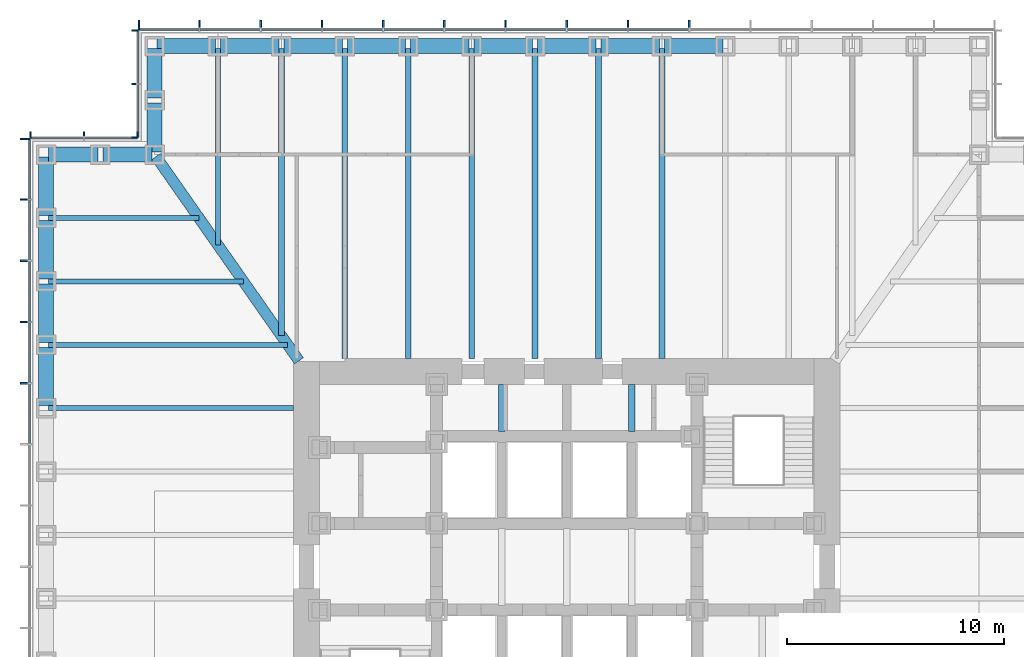
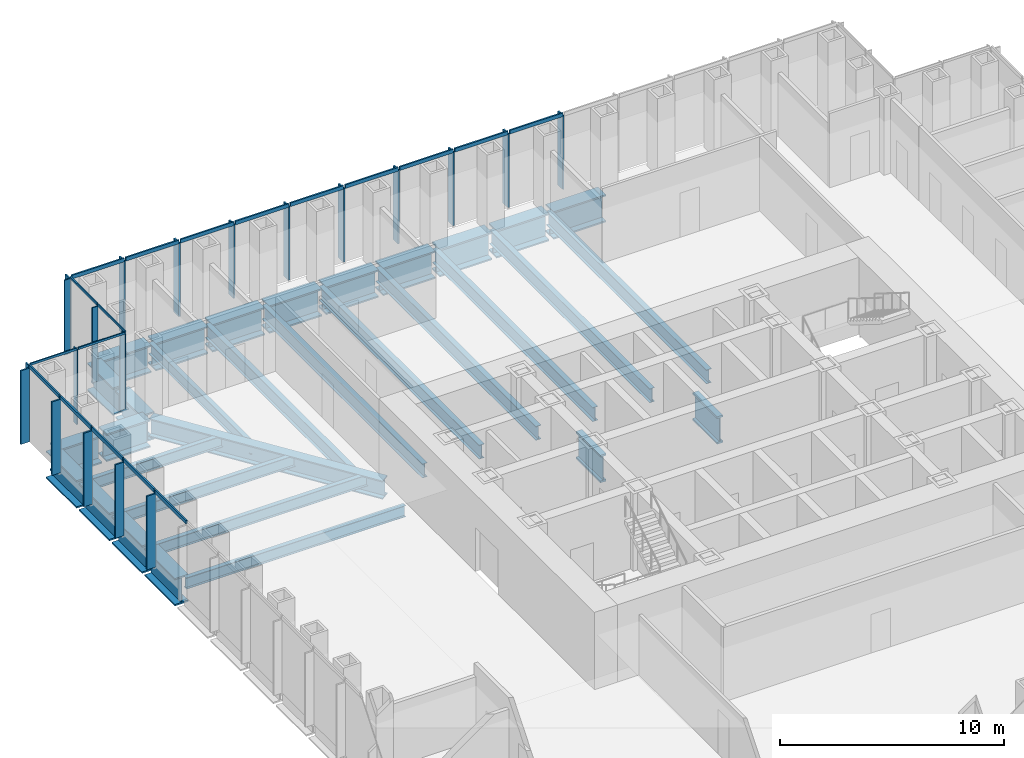
# One storey, part 5 of 17: 39 members, 32 beams, 4 elements without a shape of their own.
"""IFC4 building model written with IfcOpenShell, lengths in metres."""

from ifc_helpers import new_model, si_unit, direction, frame, origin, origin_2d, place, context, subcontext, project, spatial, rectangle, i_section, extrude, material, material_profile, profile_set, type_object, element, aggregate, save


model = new_model("IFC4")

# Units and contexts
model_context = context("Model", 3, precision=1e-05, world=origin(), true_north=direction((0.0, 1.0)))
body_context = subcontext(model_context, "Body", "Model", "MODEL_VIEW")
ifc_project = project(units=[si_unit("LENGTHUNIT", "METRE"), si_unit("AREAUNIT", "SQUARE_METRE"), si_unit("VOLUMEUNIT", "CUBIC_METRE"), si_unit("PLANEANGLEUNIT", "RADIAN"), si_unit("MASSUNIT", "GRAM", prefix="KILO")], contexts=[model_context])

# Site, building, storey
site_placement = place(None, origin())
site = spatial("IfcSite", under=ifc_project, at=site_placement, CompositionType="ELEMENT")
building_placement = place(site_placement, origin())
building = spatial("IfcBuilding", under=site, at=building_placement, Name="Daluyong Arena Tower", CompositionType="ELEMENT")
storey_placement = place(building_placement, frame((0.0, 0.0, 55.89990234375)))
storey = spatial("IfcBuildingStorey", under=building, at=storey_placement, Name="L11", CompositionType="ELEMENT", Elevation=55.89990234375)

# Curtain wall, members
ifc_material_1 = material(Name="Bronze anodised aluminium and glass", Category="aluminium")
curtain_wall_type_1 = type_object("IfcCurtainWallType", Name="Curtain wall CW1", PredefinedType="USERDEFINED", material=ifc_material_1)
curtain_wall_1_placement = place(storey_placement, origin())
curtain_wall_1 = element("IfcCurtainWall", 1, at=curtain_wall_1_placement, inside=storey, type_object=curtain_wall_type_1, Name="curtain wall L11 N", ObjectType="UNITISED CURTAIN WALL", PredefinedType="USERDEFINED")
ifc_material_2 = material(Name="Bronze anodised aluminium fin", Category="aluminium")
ifc_material_profile_1 = material_profile(ifc_material_2, rectangle(XDim=0.449951171875, YDim=0.080078125, at=origin_2d()))
ifc_profile_set_1 = profile_set([ifc_material_profile_1], Name="Bronze anodised aluminium fin")
member_type_1 = type_object("IfcMemberType", Name="CW1 bronze fin 450x80", PredefinedType="MULLION", material=ifc_profile_set_1)
member_1_placement = place(storey_placement, frame((61.642822265625, 104.97509765625, 0.0), z_axis=(0.0, 0.0, 1.0), x_axis=(0.0, -1.0, 0.0)))
member_1 = element("IfcMember", 2, at=member_1_placement, type_object=member_type_1, Name="curtain wall L11 N fin 6", PredefinedType="MULLION", context=body_context, shape_type="SweptSolid", body=[
    extrude(rectangle(XDim=0.449951171875, YDim=0.080078125, at=origin_2d()), origin(), (0.0, 0.0, 1.0), 4.0),
])
member_2_placement = place(storey_placement, frame((58.821533203125, 104.97509765625, 0.0), z_axis=(0.0, 0.0, 1.0), x_axis=(0.0, -1.0, 0.0)))
member_2 = element("IfcMember", 3, at=member_2_placement, type_object=member_type_1, Name="curtain wall L11 N fin 7", PredefinedType="MULLION", context=body_context, shape_type="SweptSolid", body=[
    extrude(rectangle(XDim=0.449951171875, YDim=0.080078125, at=origin_2d()), origin(), (0.0, 0.0, 1.0), 4.0),
])
member_3_placement = place(storey_placement, frame((56.0, 104.97509765625, 0.0), z_axis=(0.0, 0.0, 1.0), x_axis=(0.0, -1.0, 0.0)))
member_3 = element("IfcMember", 4, at=member_3_placement, type_object=member_type_1, Name="curtain wall L11 N fin 8", PredefinedType="MULLION", context=body_context, shape_type="SweptSolid", body=[
    extrude(rectangle(XDim=0.449951171875, YDim=0.080078125, at=origin_2d()), origin(), (0.0, 0.0, 1.0), 4.0),
])
member_4_placement = place(storey_placement, frame((53.178466796875, 104.97509765625, 0.0), z_axis=(0.0, 0.0, 1.0), x_axis=(0.0, -1.0, 0.0)))
member_4 = element("IfcMember", 5, at=member_4_placement, type_object=member_type_1, Name="curtain wall L11 N fin 9", PredefinedType="MULLION", context=body_context, shape_type="SweptSolid", body=[
    extrude(rectangle(XDim=0.449951171875, YDim=0.080078125, at=origin_2d()), origin(), (0.0, 0.0, 1.0), 4.0),
])
member_5_placement = place(storey_placement, frame((50.357177734375, 104.97509765625, 0.0), z_axis=(0.0, 0.0, 1.0), x_axis=(0.0, -1.0, 0.0)))
member_5 = element("IfcMember", 6, at=member_5_placement, type_object=member_type_1, Name="curtain wall L11 N fin 10", PredefinedType="MULLION", context=body_context, shape_type="SweptSolid", body=[
    extrude(rectangle(XDim=0.449951171875, YDim=0.080078125, at=origin_2d()), origin(), (0.0, 0.0, 1.0), 4.0),
])
member_6_placement = place(storey_placement, frame((47.53564453125, 104.97509765625, 0.0), z_axis=(0.0, 0.0, 1.0), x_axis=(0.0, -1.0, 0.0)))
member_6 = element("IfcMember", 7, at=member_6_placement, type_object=member_type_1, Name="curtain wall L11 N fin 11", PredefinedType="MULLION", context=body_context, shape_type="SweptSolid", body=[
    extrude(rectangle(XDim=0.449951171875, YDim=0.080078125, at=origin_2d()), origin(), (0.0, 0.0, 1.0), 4.0),
])
member_7_placement = place(storey_placement, frame((44.71435546875, 104.97509765625, 0.0), z_axis=(0.0, 0.0, 1.0), x_axis=(0.0, -1.0, 0.0)))
member_7 = element("IfcMember", 8, at=member_7_placement, type_object=member_type_1, Name="curtain wall L11 N fin 12", PredefinedType="MULLION", context=body_context, shape_type="SweptSolid", body=[
    extrude(rectangle(XDim=0.449951171875, YDim=0.080078125, at=origin_2d()), origin(), (0.0, 0.0, 1.0), 4.0),
])
member_8_placement = place(storey_placement, frame((41.892822265625, 104.97509765625, 0.0), z_axis=(0.0, 0.0, 1.0), x_axis=(0.0, -1.0, 0.0)))
member_8 = element("IfcMember", 9, at=member_8_placement, type_object=member_type_1, Name="curtain wall L11 N fin 13", PredefinedType="MULLION", context=body_context, shape_type="SweptSolid", body=[
    extrude(rectangle(XDim=0.449951171875, YDim=0.080078125, at=origin_2d()), origin(), (0.0, 0.0, 1.0), 4.0),
])
member_9_placement = place(storey_placement, frame((39.071533203125, 104.97509765625, 0.0), z_axis=(0.0, 0.0, 1.0), x_axis=(0.0, -1.0, 0.0)))
member_9 = element("IfcMember", 10, at=member_9_placement, type_object=member_type_1, Name="curtain wall L11 N fin 14", PredefinedType="MULLION", context=body_context, shape_type="SweptSolid", body=[
    extrude(rectangle(XDim=0.449951171875, YDim=0.080078125, at=origin_2d()), origin(), (0.0, 0.0, 1.0), 4.0),
])
member_10_placement = place(storey_placement, frame((36.2900390625, 104.97509765625, 0.0), z_axis=(0.0, 0.0, 1.0), x_axis=(0.0, -1.0, 0.0)))
member_10 = element("IfcMember", 11, at=member_10_placement, type_object=member_type_1, Name="curtain wall L11 N fin 15", PredefinedType="MULLION", context=body_context, shape_type="SweptSolid", body=[
    extrude(rectangle(XDim=0.449951171875, YDim=0.080078125, at=origin_2d()), origin(), (0.0, 0.0, 1.0), 4.0),
])

curtain_wall_2_placement = place(storey_placement, origin())
curtain_wall_2 = element("IfcCurtainWall", 12, at=curtain_wall_2_placement, inside=storey, type_object=curtain_wall_type_1, Name="curtain wall L11 W", ObjectType="UNITISED CURTAIN WALL", PredefinedType="USERDEFINED")
member_11_placement = place(storey_placement, frame((31.02490234375, 99.7099609375, 0.0), z_axis=(0.0, 0.0, 1.0), x_axis=(1.0, 0.0, 0.0)))
member_11 = element("IfcMember", 13, at=member_11_placement, type_object=member_type_1, Name="curtain wall L11 W fin 1", PredefinedType="MULLION", context=body_context, shape_type="SweptSolid", body=[
    extrude(rectangle(XDim=0.449951171875, YDim=0.080078125, at=origin_2d()), origin(), (0.0, 0.0, 1.0), 4.0),
])
member_12_placement = place(storey_placement, frame((31.02490234375, 96.928466796875, 0.0), z_axis=(0.0, 0.0, 1.0), x_axis=(1.0, 0.0, 0.0)))
member_12 = element("IfcMember", 14, at=member_12_placement, type_object=member_type_1, Name="curtain wall L11 W fin 2", PredefinedType="MULLION", context=body_context, shape_type="SweptSolid", body=[
    extrude(rectangle(XDim=0.449951171875, YDim=0.080078125, at=origin_2d()), origin(), (0.0, 0.0, 1.0), 4.0),
])
member_13_placement = place(storey_placement, frame((31.02490234375, 94.107177734375, 0.0), z_axis=(0.0, 0.0, 1.0), x_axis=(1.0, 0.0, 0.0)))
member_13 = element("IfcMember", 15, at=member_13_placement, type_object=member_type_1, Name="curtain wall L11 W fin 3", PredefinedType="MULLION", context=body_context, shape_type="SweptSolid", body=[
    extrude(rectangle(XDim=0.449951171875, YDim=0.080078125, at=origin_2d()), origin(), (0.0, 0.0, 1.0), 4.0),
])
member_14_placement = place(storey_placement, frame((31.02490234375, 91.28564453125, 0.0), z_axis=(0.0, 0.0, 1.0), x_axis=(1.0, 0.0, 0.0)))
member_14 = element("IfcMember", 16, at=member_14_placement, type_object=member_type_1, Name="curtain wall L11 W fin 4", PredefinedType="MULLION", context=body_context, shape_type="SweptSolid", body=[
    extrude(rectangle(XDim=0.449951171875, YDim=0.080078125, at=origin_2d()), origin(), (0.0, 0.0, 1.0), 4.0),
])
member_15_placement = place(storey_placement, frame((31.02490234375, 88.46435546875, 0.0), z_axis=(0.0, 0.0, 1.0), x_axis=(1.0, 0.0, 0.0)))
member_15 = element("IfcMember", 17, at=member_15_placement, type_object=member_type_1, Name="curtain wall L11 W fin 5", PredefinedType="MULLION", context=body_context, shape_type="SweptSolid", body=[
    extrude(rectangle(XDim=0.449951171875, YDim=0.080078125, at=origin_2d()), origin(), (0.0, 0.0, 1.0), 4.0),
])

# Member
ifc_material_3 = material(Name="Bronze anodised aluminium", Category="aluminium")
ifc_material_profile_2 = material_profile(ifc_material_3, rectangle(XDim=0.080078125, YDim=0.199951171875, at=origin_2d()))
ifc_profile_set_2 = profile_set([ifc_material_profile_2], Name="Bronze anodised aluminium")
member_type_2 = type_object("IfcMemberType", Name="CW1 stack transom 200x80", PredefinedType="USERDEFINED", material=ifc_profile_set_2)
member_16_placement = place(storey_placement, frame((61.602783203125, 104.75, 4.10009765625), z_axis=(-1.0, 0.0, 0.0), x_axis=(0.0, -1.0, 0.0)))
member_16 = element("IfcMember", 18, at=member_16_placement, type_object=member_type_2, Name="curtain wall L11 N transom 6", ObjectType="TRANSOM", PredefinedType="USERDEFINED", context=body_context, shape_type="SweptSolid", body=[
    extrude(rectangle(XDim=0.080078125, YDim=0.199951171875, at=origin_2d()), origin(), (0.0, 0.0, 1.0), 2.741455078125),
])

member_17_placement = place(storey_placement, frame((58.781494140625, 104.75, 4.10009765625), z_axis=(-1.0, 0.0, 0.0), x_axis=(0.0, -1.0, 0.0)))
member_17 = element("IfcMember", 19, at=member_17_placement, type_object=member_type_2, Name="curtain wall L11 N transom 7", ObjectType="TRANSOM", PredefinedType="USERDEFINED", context=body_context, shape_type="SweptSolid", body=[
    extrude(rectangle(XDim=0.080078125, YDim=0.199951171875, at=origin_2d()), origin(), (0.0, 0.0, 1.0), 2.741455078125),
])

member_18_placement = place(storey_placement, frame((55.9599609375, 104.75, 4.10009765625), z_axis=(-1.0, 0.0, 0.0), x_axis=(0.0, -1.0, 0.0)))
member_18 = element("IfcMember", 20, at=member_18_placement, type_object=member_type_2, Name="curtain wall L11 N transom 8", ObjectType="TRANSOM", PredefinedType="USERDEFINED", context=body_context, shape_type="SweptSolid", body=[
    extrude(rectangle(XDim=0.080078125, YDim=0.199951171875, at=origin_2d()), origin(), (0.0, 0.0, 1.0), 2.741455078125),
])

member_19_placement = place(storey_placement, frame((53.138671875, 104.75, 4.10009765625), z_axis=(-1.0, 0.0, 0.0), x_axis=(0.0, -1.0, 0.0)))
member_19 = element("IfcMember", 21, at=member_19_placement, type_object=member_type_2, Name="curtain wall L11 N transom 9", ObjectType="TRANSOM", PredefinedType="USERDEFINED", context=body_context, shape_type="SweptSolid", body=[
    extrude(rectangle(XDim=0.080078125, YDim=0.199951171875, at=origin_2d()), origin(), (0.0, 0.0, 1.0), 2.741455078125),
])

member_20_placement = place(storey_placement, frame((50.317138671875, 104.75, 4.10009765625), z_axis=(-1.0, 0.0, 0.0), x_axis=(0.0, -1.0, 0.0)))
member_20 = element("IfcMember", 22, at=member_20_placement, type_object=member_type_2, Name="curtain wall L11 N transom 10", ObjectType="TRANSOM", PredefinedType="USERDEFINED", context=body_context, shape_type="SweptSolid", body=[
    extrude(rectangle(XDim=0.080078125, YDim=0.199951171875, at=origin_2d()), origin(), (0.0, 0.0, 1.0), 2.741455078125),
])

member_21_placement = place(storey_placement, frame((47.49560546875, 104.75, 4.10009765625), z_axis=(-1.0, 0.0, 0.0), x_axis=(0.0, -1.0, 0.0)))
member_21 = element("IfcMember", 23, at=member_21_placement, type_object=member_type_2, Name="curtain wall L11 N transom 11", ObjectType="TRANSOM", PredefinedType="USERDEFINED", context=body_context, shape_type="SweptSolid", body=[
    extrude(rectangle(XDim=0.080078125, YDim=0.199951171875, at=origin_2d()), origin(), (0.0, 0.0, 1.0), 2.7412109375),
])

member_22_placement = place(storey_placement, frame((44.67431640625, 104.75, 4.10009765625), z_axis=(-1.0, 0.0, 0.0), x_axis=(0.0, -1.0, 0.0)))
member_22 = element("IfcMember", 24, at=member_22_placement, type_object=member_type_2, Name="curtain wall L11 N transom 12", ObjectType="TRANSOM", PredefinedType="USERDEFINED", context=body_context, shape_type="SweptSolid", body=[
    extrude(rectangle(XDim=0.080078125, YDim=0.199951171875, at=origin_2d()), origin(), (0.0, 0.0, 1.0), 2.741455078125),
])

member_23_placement = place(storey_placement, frame((41.852783203125, 104.75, 4.10009765625), z_axis=(-1.0, 0.0, 0.0), x_axis=(0.0, -1.0, 0.0)))
member_23 = element("IfcMember", 25, at=member_23_placement, type_object=member_type_2, Name="curtain wall L11 N transom 13", ObjectType="TRANSOM", PredefinedType="USERDEFINED", context=body_context, shape_type="SweptSolid", body=[
    extrude(rectangle(XDim=0.080078125, YDim=0.199951171875, at=origin_2d()), origin(), (0.0, 0.0, 1.0), 2.741455078125),
])

member_24_placement = place(storey_placement, frame((39.031494140625, 104.75, 4.10009765625), z_axis=(-1.0, 0.0, 0.0), x_axis=(0.0, -1.0, 0.0)))
member_24 = element("IfcMember", 26, at=member_24_placement, type_object=member_type_2, Name="curtain wall L11 N transom 14", ObjectType="TRANSOM", PredefinedType="USERDEFINED", context=body_context, shape_type="SweptSolid", body=[
    extrude(rectangle(XDim=0.080078125, YDim=0.199951171875, at=origin_2d()), origin(), (0.0, 0.0, 1.0), 2.701416015625),
])

aggregate(curtain_wall_1, [member_1, member_2, member_3, member_4, member_5, member_6, member_7, member_8, member_9, member_10, member_16, member_17, member_18, member_19, member_20, member_21, member_22, member_23, member_24])

member_25_placement = place(storey_placement, frame((31.25, 99.669921875, 4.10009765625), z_axis=(0.0, -1.0, 0.0), x_axis=(1.0, 0.0, 0.0)))
member_25 = element("IfcMember", 27, at=member_25_placement, type_object=member_type_2, Name="curtain wall L11 W transom 1", ObjectType="TRANSOM", PredefinedType="USERDEFINED", context=body_context, shape_type="SweptSolid", body=[
    extrude(rectangle(XDim=0.080078125, YDim=0.199951171875, at=origin_2d()), origin(), (0.0, 0.0, 1.0), 2.701416015625),
])

member_26_placement = place(storey_placement, frame((31.25, 96.888671875, 4.10009765625), z_axis=(0.0, -1.0, 0.0), x_axis=(1.0, 0.0, 0.0)))
member_26 = element("IfcMember", 28, at=member_26_placement, type_object=member_type_2, Name="curtain wall L11 W transom 2", ObjectType="TRANSOM", PredefinedType="USERDEFINED", context=body_context, shape_type="SweptSolid", body=[
    extrude(rectangle(XDim=0.080078125, YDim=0.199951171875, at=origin_2d()), origin(), (0.0, 0.0, 1.0), 2.741455078125),
])

member_27_placement = place(storey_placement, frame((31.25, 94.067138671875, 4.10009765625), z_axis=(0.0, -1.0, 0.0), x_axis=(1.0, 0.0, 0.0)))
member_27 = element("IfcMember", 29, at=member_27_placement, type_object=member_type_2, Name="curtain wall L11 W transom 3", ObjectType="TRANSOM", PredefinedType="USERDEFINED", context=body_context, shape_type="SweptSolid", body=[
    extrude(rectangle(XDim=0.080078125, YDim=0.199951171875, at=origin_2d()), origin(), (0.0, 0.0, 1.0), 2.741455078125),
])

member_28_placement = place(storey_placement, frame((31.25, 91.24560546875, 4.10009765625), z_axis=(0.0, -1.0, 0.0), x_axis=(1.0, 0.0, 0.0)))
member_28 = element("IfcMember", 30, at=member_28_placement, type_object=member_type_2, Name="curtain wall L11 W transom 4", ObjectType="TRANSOM", PredefinedType="USERDEFINED", context=body_context, shape_type="SweptSolid", body=[
    extrude(rectangle(XDim=0.080078125, YDim=0.199951171875, at=origin_2d()), origin(), (0.0, 0.0, 1.0), 2.7412109375),
])

member_29_placement = place(storey_placement, frame((31.25, 88.42431640625, 4.10009765625), z_axis=(0.0, -1.0, 0.0), x_axis=(1.0, 0.0, 0.0)))
member_29 = element("IfcMember", 31, at=member_29_placement, type_object=member_type_2, Name="curtain wall L11 W transom 5", ObjectType="TRANSOM", PredefinedType="USERDEFINED", context=body_context, shape_type="SweptSolid", body=[
    extrude(rectangle(XDim=0.080078125, YDim=0.199951171875, at=origin_2d()), origin(), (0.0, 0.0, 1.0), 2.741455078125),
])

aggregate(curtain_wall_2, [member_11, member_12, member_13, member_14, member_15, member_25, member_26, member_27, member_28, member_29])

# Curtain wall, members
ifc_material_4 = material(Name="Bronze anodised aluminium and glass", Category="aluminium")
curtain_wall_type_2 = type_object("IfcCurtainWallType", Name="Curtain wall CW7", PredefinedType="USERDEFINED", material=ifc_material_4)
curtain_wall_3_placement = place(storey_placement, origin())
curtain_wall_3 = element("IfcCurtainWall", 32, at=curtain_wall_3_placement, inside=storey, type_object=curtain_wall_type_2, Name="curtain wall L11 NW-W", ObjectType="UNITISED CURTAIN WALL", PredefinedType="USERDEFINED")
ifc_material_5 = material(Name="Bronze anodised aluminium fin", Category="aluminium")
ifc_material_profile_3 = material_profile(ifc_material_5, rectangle(XDim=0.300048828125, YDim=0.06005859375, at=origin_2d()))
ifc_profile_set_3 = profile_set([ifc_material_profile_3], Name="Bronze anodised aluminium fin")
member_type_3 = type_object("IfcMemberType", Name="CW7 bronze fin 300x60", PredefinedType="MULLION", material=ifc_profile_set_3)
member_30_placement = place(storey_placement, frame((36.10009765625, 104.719970703125, 0.0), z_axis=(0.0, 0.0, 1.0), x_axis=(1.0, 0.0, 0.0)))
member_30 = element("IfcMember", 33, at=member_30_placement, type_object=member_type_3, Name="curtain wall L11 NW-W fin 1", PredefinedType="MULLION", context=body_context, shape_type="SweptSolid", body=[
    extrude(rectangle(XDim=0.300048828125, YDim=0.06005859375, at=origin_2d()), origin(), (0.0, 0.0, 1.0), 4.080078125),
])
member_31_placement = place(storey_placement, frame((36.10009765625, 102.25, 0.0), z_axis=(0.0, 0.0, 1.0), x_axis=(1.0, 0.0, 0.0)))
member_31 = element("IfcMember", 34, at=member_31_placement, type_object=member_type_3, Name="curtain wall L11 NW-W fin 2", PredefinedType="MULLION", context=body_context, shape_type="SweptSolid", body=[
    extrude(rectangle(XDim=0.300048828125, YDim=0.06005859375, at=origin_2d()), origin(), (0.0, 0.0, 1.0), 4.080078125),
])
member_32_placement = place(storey_placement, frame((36.10009765625, 99.780029296875, 0.0), z_axis=(0.0, 0.0, 1.0), x_axis=(1.0, 0.0, 0.0)))
member_32 = element("IfcMember", 35, at=member_32_placement, type_object=member_type_3, Name="curtain wall L11 NW-W fin 3", PredefinedType="MULLION", context=body_context, shape_type="SweptSolid", body=[
    extrude(rectangle(XDim=0.300048828125, YDim=0.06005859375, at=origin_2d()), origin(), (0.0, 0.0, 1.0), 4.080078125),
])

curtain_wall_4_placement = place(storey_placement, origin())
curtain_wall_4 = element("IfcCurtainWall", 36, at=curtain_wall_4_placement, inside=storey, type_object=curtain_wall_type_2, Name="curtain wall L11 NW-N", ObjectType="UNITISED CURTAIN WALL", PredefinedType="USERDEFINED")
member_33_placement = place(storey_placement, frame((36.219970703125, 99.89990234375, 0.0), z_axis=(0.0, 0.0, 1.0), x_axis=(0.0, -1.0, 0.0)))
member_33 = element("IfcMember", 37, at=member_33_placement, type_object=member_type_3, Name="curtain wall L11 NW-N fin 1", PredefinedType="MULLION", context=body_context, shape_type="SweptSolid", body=[
    extrude(rectangle(XDim=0.300048828125, YDim=0.06005859375, at=origin_2d()), origin(), (0.0, 0.0, 1.0), 4.080078125),
])
member_34_placement = place(storey_placement, frame((33.75, 99.89990234375, 0.0), z_axis=(0.0, 0.0, 1.0), x_axis=(0.0, -1.0, 0.0)))
member_34 = element("IfcMember", 38, at=member_34_placement, type_object=member_type_3, Name="curtain wall L11 NW-N fin 2", PredefinedType="MULLION", context=body_context, shape_type="SweptSolid", body=[
    extrude(rectangle(XDim=0.300048828125, YDim=0.06005859375, at=origin_2d()), origin(), (0.0, 0.0, 1.0), 4.080078125),
])
member_35_placement = place(storey_placement, frame((31.280029296875, 99.89990234375, 0.0), z_axis=(0.0, 0.0, 1.0), x_axis=(0.0, -1.0, 0.0)))
member_35 = element("IfcMember", 39, at=member_35_placement, type_object=member_type_3, Name="curtain wall L11 NW-N fin 3", PredefinedType="MULLION", context=body_context, shape_type="SweptSolid", body=[
    extrude(rectangle(XDim=0.300048828125, YDim=0.06005859375, at=origin_2d()), origin(), (0.0, 0.0, 1.0), 4.080078125),
])

# Member
ifc_material_6 = material(Name="Bronze anodised aluminium", Category="aluminium")
ifc_material_profile_4 = material_profile(ifc_material_6, rectangle(XDim=0.06005859375, YDim=0.1201171875, at=origin_2d()))
ifc_profile_set_4 = profile_set([ifc_material_profile_4], Name="Bronze anodised aluminium")
member_type_4 = type_object("IfcMemberType", Name="CW7 stack transom 120x60", PredefinedType="USERDEFINED", material=ifc_profile_set_4)
member_36_placement = place(storey_placement, frame((36.25, 104.68994140625, 4.14013671875), z_axis=(0.0, -1.0, 0.0), x_axis=(1.0, 0.0, 0.0)))
member_36 = element("IfcMember", 40, at=member_36_placement, type_object=member_type_4, Name="curtain wall L11 NW-W transom 1", ObjectType="TRANSOM", PredefinedType="USERDEFINED", context=body_context, shape_type="SweptSolid", body=[
    extrude(rectangle(XDim=0.06005859375, YDim=0.1201171875, at=origin_2d()), origin(), (0.0, 0.0, 1.0), 2.409912109375),
])

member_37_placement = place(storey_placement, frame((36.25, 102.219970703125, 4.14013671875), z_axis=(0.0, -1.0, 0.0), x_axis=(1.0, 0.0, 0.0)))
member_37 = element("IfcMember", 41, at=member_37_placement, type_object=member_type_4, Name="curtain wall L11 NW-W transom 2", ObjectType="TRANSOM", PredefinedType="USERDEFINED", context=body_context, shape_type="SweptSolid", body=[
    extrude(rectangle(XDim=0.06005859375, YDim=0.1201171875, at=origin_2d()), origin(), (0.0, 0.0, 1.0), 2.409912109375),
])

aggregate(curtain_wall_3, [member_30, member_31, member_32, member_36, member_37])

member_38_placement = place(storey_placement, frame((36.18994140625, 99.75, 4.14013671875), z_axis=(-1.0, 0.0, 0.0), x_axis=(0.0, -1.0, 0.0)))
member_38 = element("IfcMember", 42, at=member_38_placement, type_object=member_type_4, Name="curtain wall L11 NW-N transom 1", ObjectType="TRANSOM", PredefinedType="USERDEFINED", context=body_context, shape_type="SweptSolid", body=[
    extrude(rectangle(XDim=0.06005859375, YDim=0.1201171875, at=origin_2d()), origin(), (0.0, 0.0, 1.0), 2.409912109375),
])

member_39_placement = place(storey_placement, frame((33.719970703125, 99.75, 4.14013671875), z_axis=(-1.0, 0.0, 0.0), x_axis=(0.0, -1.0, 0.0)))
member_39 = element("IfcMember", 43, at=member_39_placement, type_object=member_type_4, Name="curtain wall L11 NW-N transom 2", ObjectType="TRANSOM", PredefinedType="USERDEFINED", context=body_context, shape_type="SweptSolid", body=[
    extrude(rectangle(XDim=0.06005859375, YDim=0.1201171875, at=origin_2d()), origin(), (0.0, 0.0, 1.0), 2.409912109375),
])

aggregate(curtain_wall_4, [member_33, member_34, member_35, member_38, member_39])

# Beams
ifc_material_7 = material(Name="Steel ASTM A572 Grade 50", Category="steel")
ifc_material_profile_5 = material_profile(ifc_material_7, i_section(OverallWidth=0.5, OverallDepth=1.0, WebThickness=0.03, FlangeThickness=0.06, at=origin_2d()))
ifc_profile_set_5 = profile_set([ifc_material_profile_5], Name="Steel ASTM A572 Grade 50")
beam_type_1 = type_object("IfcBeamType", Name="Corner girder TB1000X500", PredefinedType="BEAM", material=ifc_profile_set_5)
beam_1_placement = place(storey_placement, frame((37.06591796875, 98.90576171875, -0.659912109375), z_axis=(0.573466621875, -0.819228926244, 0.0), x_axis=(0.819228926244, 0.573466621875, 0.0)))
element("IfcBeam", 44, at=beam_1_placement, inside=storey, type_object=beam_type_1, Name="corner girder DG2", PredefinedType="BEAM", context=body_context, shape_type="SweptSolid", body=[
    extrude(i_section(OverallWidth=0.5, OverallDepth=1.0, WebThickness=0.03, FlangeThickness=0.06, at=origin_2d()), origin(), (0.0, 0.0, 1.0), 11.49169921875),
])
ifc_material_8 = material(Name="Steel ASTM A992 Grade 50", Category="steel")
ifc_material_profile_6 = material_profile(ifc_material_8, i_section(OverallWidth=0.22900390625, OverallDepth=0.612060546875, WebThickness=0.011962890625, FlangeThickness=0.01953125, at=origin_2d()))
ifc_profile_set_6 = profile_set([ifc_material_profile_6], Name="Steel ASTM A992 Grade 50")
beam_type_2 = type_object("IfcBeamType", Name="Floor beam W24X84", PredefinedType="BEAM", material=ifc_profile_set_6)
beam_2_placement = place(storey_placement, frame((39.923095703125, 103.885009765625, -0.466064453125), z_axis=(0.0, -1.0, 0.0), x_axis=(1.0, 0.0, 0.0)))
element("IfcBeam", 45, at=beam_2_placement, inside=storey, type_object=beam_type_2, Name="floor beam FB3", PredefinedType="BEAM", context=body_context, shape_type="SweptSolid", body=[
    extrude(i_section(OverallWidth=0.22900390625, OverallDepth=0.612060546875, WebThickness=0.011962890625, FlangeThickness=0.01953125, at=origin_2d()), origin(), (0.0, 0.0, 1.0), 9.060791015625),
])
beam_3_placement = place(storey_placement, frame((32.114990234375, 96.076904296875, -0.466064453125), z_axis=(1.0, 0.0, 0.0), x_axis=(0.0, 1.0, 0.0)))
element("IfcBeam", 46, at=beam_3_placement, inside=storey, type_object=beam_type_2, Name="floor beam FB3", PredefinedType="BEAM", context=body_context, shape_type="SweptSolid", body=[
    extrude(i_section(OverallWidth=0.22900390625, OverallDepth=0.612060546875, WebThickness=0.011962890625, FlangeThickness=0.01953125, at=origin_2d()), origin(), (0.0, 0.0, 1.0), 6.93115234375),
])
beam_4_placement = place(storey_placement, frame((32.114990234375, 93.15380859375, -0.466064453125), z_axis=(1.0, 0.0, 0.0), x_axis=(0.0, 1.0, 0.0)))
element("IfcBeam", 47, at=beam_4_placement, inside=storey, type_object=beam_type_2, Name="floor beam FB3", PredefinedType="BEAM", context=body_context, shape_type="SweptSolid", body=[
    extrude(i_section(OverallWidth=0.22900390625, OverallDepth=0.612060546875, WebThickness=0.011962890625, FlangeThickness=0.01953125, at=origin_2d()), origin(), (0.0, 0.0, 1.0), 8.977294921875),
])
beam_5_placement = place(storey_placement, frame((32.114990234375, 90.230712890625, -0.466064453125), z_axis=(1.0, 0.0, 0.0), x_axis=(0.0, 1.0, 0.0)))
element("IfcBeam", 48, at=beam_5_placement, inside=storey, type_object=beam_type_2, Name="floor beam FB3", PredefinedType="BEAM", context=body_context, shape_type="SweptSolid", body=[
    extrude(i_section(OverallWidth=0.22900390625, OverallDepth=0.612060546875, WebThickness=0.011962890625, FlangeThickness=0.01953125, at=origin_2d()), origin(), (0.0, 0.0, 1.0), 11.0234375),
])
beam_6_placement = place(storey_placement, frame((32.114990234375, 87.3076171875, -0.466064453125), z_axis=(1.0, 0.0, 0.0), x_axis=(0.0, 1.0, 0.0)))
element("IfcBeam", 49, at=beam_6_placement, inside=storey, type_object=beam_type_2, Name="floor beam FB3", PredefinedType="BEAM", context=body_context, shape_type="SweptSolid", body=[
    extrude(i_section(OverallWidth=0.22900390625, OverallDepth=0.612060546875, WebThickness=0.011962890625, FlangeThickness=0.01953125, at=origin_2d()), origin(), (0.0, 0.0, 1.0), 11.284912109375),
])
ifc_material_9 = material(Name="Steel ASTM A992 Grade 50", Category="steel")
ifc_material_profile_7 = material_profile(ifc_material_9, i_section(OverallWidth=0.2666015625, OverallDepth=0.761962890625, WebThickness=0.014404296875, FlangeThickness=0.021484375, at=origin_2d()))
ifc_profile_set_7 = profile_set([ifc_material_profile_7], Name="Steel ASTM A992 Grade 50")
beam_type_3 = type_object("IfcBeamType", Name="Floor beam W30X116", PredefinedType="BEAM", material=ifc_profile_set_7)
for number, where, z_axis, x_axis, name in (
    (50, (60.384521484375, 103.885009765625, -0.541015625), (0.0, -1.0, 0.0), (1.0, 0.0, 0.0), "floor beam FB4"),
    (51, (57.46142578125, 103.885009765625, -0.541015625), (0.0, -1.0, 0.0), (1.0, 0.0, 0.0), "floor beam FB4"),
    (52, (54.53857421875, 103.885009765625, -0.541015625), (0.0, -1.0, 0.0), (1.0, 0.0, 0.0), "floor beam FB4"),
    (53, (51.615478515625, 103.885009765625, -0.541015625), (0.0, -1.0, 0.0), (1.0, 0.0, 0.0), "floor beam FB4"),
    (54, (48.6923828125, 103.885009765625, -0.541015625), (0.0, -1.0, 0.0), (1.0, 0.0, 0.0), "floor beam FB4"),
    (55, (45.769287109375, 103.885009765625, -0.541015625), (0.0, -1.0, 0.0), (1.0, 0.0, 0.0), "floor beam FB4"),
):
    element("IfcBeam", number, at=place(storey_placement, frame(where, z_axis=z_axis, x_axis=x_axis)), inside=storey, type_object=beam_type_3, Name=name, PredefinedType="BEAM", context=body_context, shape_type="SweptSolid", body=[
        extrude(i_section(OverallWidth=0.2666015625, OverallDepth=0.761962890625, WebThickness=0.014404296875, FlangeThickness=0.021484375, at=origin_2d()), origin(), (0.0, 0.0, 1.0), 14.284912109375),
    ])
beam_7_placement = place(storey_placement, frame((42.84619140625, 103.885009765625, -0.541015625), z_axis=(0.0, -1.0, 0.0), x_axis=(1.0, 0.0, 0.0)))
element("IfcBeam", 56, at=beam_7_placement, inside=storey, type_object=beam_type_3, Name="floor beam FB4", PredefinedType="BEAM", context=body_context, shape_type="SweptSolid", body=[
    extrude(i_section(OverallWidth=0.2666015625, OverallDepth=0.761962890625, WebThickness=0.014404296875, FlangeThickness=0.021484375, at=origin_2d()), origin(), (0.0, 0.0, 1.0), 13.236572265625),
])
ifc_material_10 = material(Name="Steel ASTM A572 Grade 50", Category="steel")
ifc_material_profile_8 = material_profile(ifc_material_10, i_section(OverallWidth=0.300048828125, OverallDepth=1.5, WebThickness=0.04, FlangeThickness=0.1, at=origin_2d()))
ifc_profile_set_8 = profile_set([ifc_material_profile_8], Name="Steel ASTM A572 Grade 50")
beam_type_4 = type_object("IfcBeamType", Name="Lift divider beam PG1500X300", PredefinedType="BEAM", material=ifc_profile_set_8)
for number, where, z_axis, x_axis, name in (
    (57, (53.0, 86.22509765625, -0.909912109375), (0.0, 1.0, 0.0), (-1.0, 0.0, 0.0), "lift divider beam DB2"),
    (58, (59.0, 86.22509765625, -0.909912109375), (0.0, 1.0, 0.0), (-1.0, 0.0, 0.0), "lift divider beam DB2"),
):
    element("IfcBeam", number, at=place(storey_placement, frame(where, z_axis=z_axis, x_axis=x_axis)), inside=storey, type_object=beam_type_4, Name=name, PredefinedType="BEAM", context=body_context, shape_type="SweptSolid", body=[
        extrude(i_section(OverallWidth=0.300048828125, OverallDepth=1.5, WebThickness=0.04, FlangeThickness=0.1, at=origin_2d()), origin(), (0.0, 0.0, 1.0), 2.1748046875),
    ])
ifc_material_11 = material(Name="Steel ASTM A572 Grade 50", Category="steel")
ifc_material_profile_9 = material_profile(ifc_material_11, i_section(OverallWidth=0.699951171875, OverallDepth=1.5, WebThickness=0.04, FlangeThickness=0.08, at=origin_2d()))
ifc_profile_set_9 = profile_set([ifc_material_profile_9], Name="Steel ASTM A572 Grade 50")
beam_type_5 = type_object("IfcBeamType", Name="Spandrel Z1 PG1500X700", PredefinedType="SPANDREL", material=ifc_profile_set_9)
for number, where, z_axis, x_axis, name in (
    (59, (63.192626953125, 104.0, -0.909912109375), (-1.0, 0.0, 0.0), (0.0, -1.0, 0.0), "spandrel z1 SB4"),
    (60, (60.26953125, 104.0, -0.909912109375), (-1.0, 0.0, 0.0), (0.0, -1.0, 0.0), "spandrel z1 SB4"),
):
    element("IfcBeam", number, at=place(storey_placement, frame(where, z_axis=z_axis, x_axis=x_axis)), inside=storey, type_object=beam_type_5, Name=name, PredefinedType="SPANDREL", context=body_context, shape_type="SweptSolid", body=[
        extrude(i_section(OverallWidth=0.699951171875, OverallDepth=1.5, WebThickness=0.04, FlangeThickness=0.08, at=origin_2d()), origin(), (0.0, 0.0, 1.0), 2.693115234375),
    ])
beam_8_placement = place(storey_placement, frame((57.346435546875, 104.0, -0.909912109375), z_axis=(-1.0, 0.0, 0.0), x_axis=(0.0, -1.0, 0.0)))
element("IfcBeam", 61, at=beam_8_placement, inside=storey, type_object=beam_type_5, Name="spandrel z1 SB4", PredefinedType="SPANDREL", context=body_context, shape_type="SweptSolid", body=[
    extrude(i_section(OverallWidth=0.699951171875, OverallDepth=1.5, WebThickness=0.04, FlangeThickness=0.08, at=origin_2d()), origin(), (0.0, 0.0, 1.0), 2.69287109375),
])
for number, where, z_axis, x_axis, name in (
    (62, (54.423583984375, 104.0, -0.909912109375), (-1.0, 0.0, 0.0), (0.0, -1.0, 0.0), "spandrel z1 SB4"),
    (63, (51.50048828125, 104.0, -0.909912109375), (-1.0, 0.0, 0.0), (0.0, -1.0, 0.0), "spandrel z1 SB4"),
    (64, (48.577392578125, 104.0, -0.909912109375), (-1.0, 0.0, 0.0), (0.0, -1.0, 0.0), "spandrel z1 SB4"),
    (65, (45.654296875, 104.0, -0.909912109375), (-1.0, 0.0, 0.0), (0.0, -1.0, 0.0), "spandrel z1 SB4"),
    (66, (42.731201171875, 104.0, -0.909912109375), (-1.0, 0.0, 0.0), (0.0, -1.0, 0.0), "spandrel z1 SB4"),
    (67, (39.80810546875, 104.0, -0.909912109375), (-1.0, 0.0, 0.0), (0.0, -1.0, 0.0), "spandrel z1 SB4"),
):
    element("IfcBeam", number, at=place(storey_placement, frame(where, z_axis=z_axis, x_axis=x_axis)), inside=storey, type_object=beam_type_5, Name=name, PredefinedType="SPANDREL", context=body_context, shape_type="SweptSolid", body=[
        extrude(i_section(OverallWidth=0.699951171875, OverallDepth=1.5, WebThickness=0.04, FlangeThickness=0.08, at=origin_2d()), origin(), (0.0, 0.0, 1.0), 2.693115234375),
    ])
for number, where, z_axis, x_axis, name in (
    (68, (37.0, 103.885009765625, -0.909912109375), (0.0, -1.0, 0.0), (1.0, 0.0, 0.0), "spandrel z1 SB4"),
    (69, (37.0, 101.385009765625, -0.909912109375), (0.0, -1.0, 0.0), (1.0, 0.0, 0.0), "spandrel z1 SB4"),
    (70, (36.885009765625, 99.0, -0.909912109375), (-1.0, 0.0, 0.0), (0.0, -1.0, 0.0), "spandrel z1 SB4"),
    (71, (34.385009765625, 99.0, -0.909912109375), (-1.0, 0.0, 0.0), (0.0, -1.0, 0.0), "spandrel z1 SB4"),
):
    element("IfcBeam", number, at=place(storey_placement, frame(where, z_axis=z_axis, x_axis=x_axis)), inside=storey, type_object=beam_type_5, Name=name, PredefinedType="SPANDREL", context=body_context, shape_type="SweptSolid", body=[
        extrude(i_section(OverallWidth=0.699951171875, OverallDepth=1.5, WebThickness=0.04, FlangeThickness=0.08, at=origin_2d()), origin(), (0.0, 0.0, 1.0), 2.27001953125),
    ])
for number, where, z_axis, x_axis, name in (
    (72, (32.0, 98.885009765625, -0.909912109375), (0.0, -1.0, 0.0), (1.0, 0.0, 0.0), "spandrel z1 SB4"),
    (73, (32.0, 95.9619140625, -0.909912109375), (0.0, -1.0, 0.0), (1.0, 0.0, 0.0), "spandrel z1 SB4"),
    (74, (32.0, 93.038818359375, -0.909912109375), (0.0, -1.0, 0.0), (1.0, 0.0, 0.0), "spandrel z1 SB4"),
    (75, (32.0, 90.11572265625, -0.909912109375), (0.0, -1.0, 0.0), (1.0, 0.0, 0.0), "spandrel z1 SB4"),
):
    element("IfcBeam", number, at=place(storey_placement, frame(where, z_axis=z_axis, x_axis=x_axis)), inside=storey, type_object=beam_type_5, Name=name, PredefinedType="SPANDREL", context=body_context, shape_type="SweptSolid", body=[
        extrude(i_section(OverallWidth=0.699951171875, OverallDepth=1.5, WebThickness=0.04, FlangeThickness=0.08, at=origin_2d()), origin(), (0.0, 0.0, 1.0), 2.693115234375),
    ])

save(model, "model.ifc")
